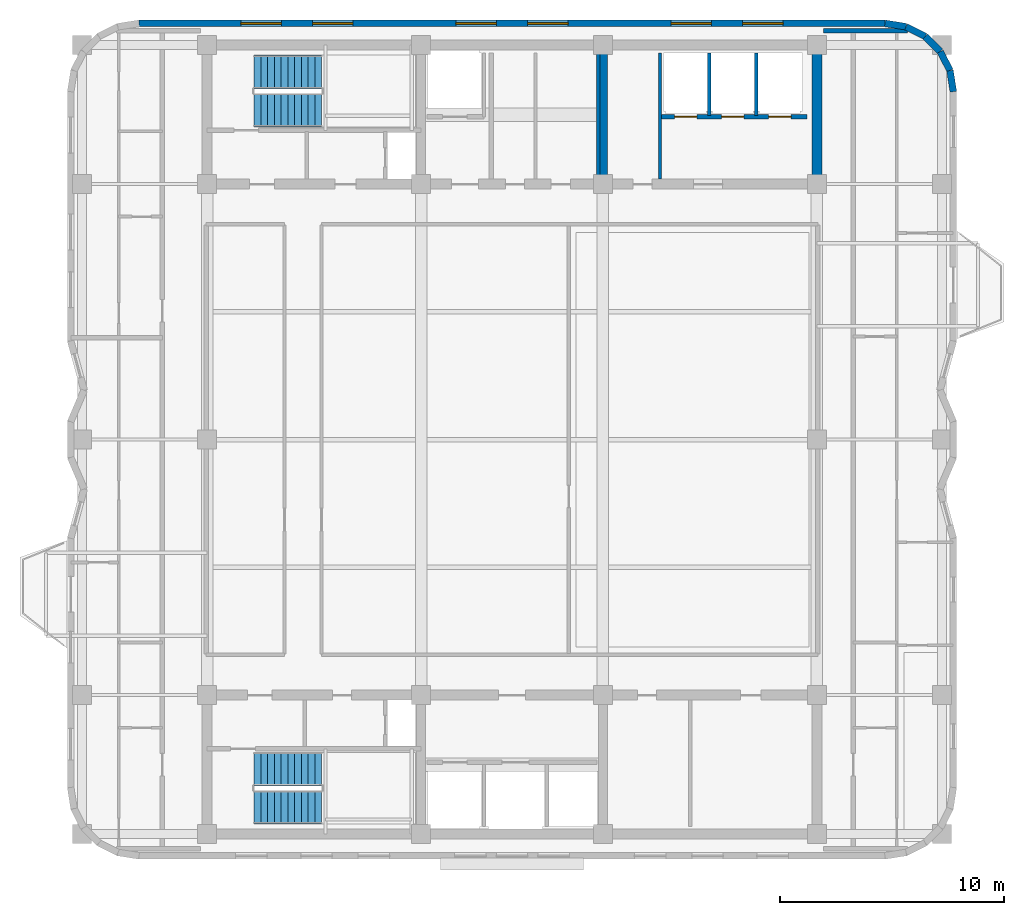
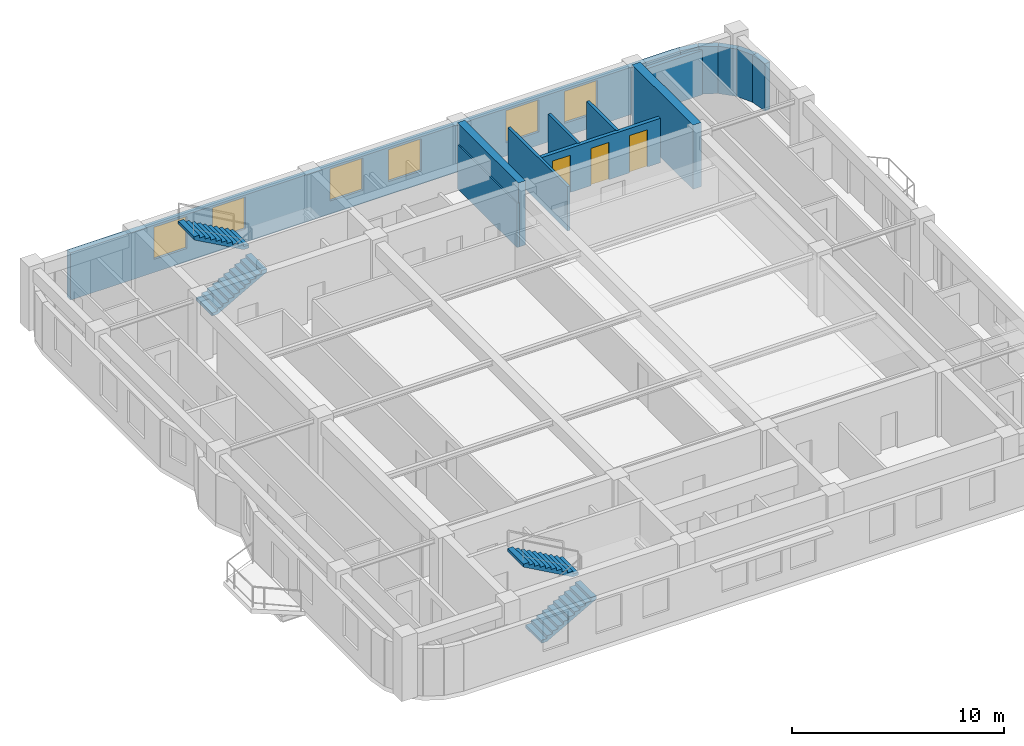
# One storey, part 6 of 8: 14 walls, 6 windows, 4 stair flights, 3 doors, 9 openings, 2 elements without a shape of their own.
"""IFC4 building model written with IfcOpenShell, lengths in metres."""

from ifc_helpers import new_model, si_unit, direction, frame, frame_2d, origin, place, context, subcontext, project, spatial, polyline, rectangle, outline, extrude, material, layer, layer_set, type_object, element, fill, aggregate, save


model = new_model("IFC4")

# Units and contexts
model_context = context("Model", 3, precision=1e-05, world=origin(), true_north=direction((0.0, 1.0)))
body_context = subcontext(model_context, "Body", "Model", "MODEL_VIEW")
ifc_project = project(units=[si_unit("LENGTHUNIT", "METRE"), si_unit("AREAUNIT", "SQUARE_METRE"), si_unit("VOLUMEUNIT", "CUBIC_METRE"), si_unit("PLANEANGLEUNIT", "RADIAN"), si_unit("MASSUNIT", "GRAM", prefix="KILO")], contexts=[model_context])

# Site, building, storey
site_placement = place(None, origin())
site = spatial("IfcSite", under=ifc_project, at=site_placement, CompositionType="ELEMENT")
building_placement = place(site_placement, origin())
building = spatial("IfcBuilding", under=site, at=building_placement, Name="Svetorya Sky Lyceum", CompositionType="ELEMENT")
storey_placement = place(building_placement, frame((0.0, 0.0, 248.0)))
storey = spatial("IfcBuildingStorey", under=building, at=storey_placement, Name="L62", CompositionType="ELEMENT", Elevation=248.0)

# Walls
ifc_material_1 = material(Name="Concrete C40/50", Category="concrete")
ifc_layer_1 = layer(ifc_material_1, 0.39990234375)
ifc_layer_set_1 = layer_set([ifc_layer_1], Name="Concrete C40/50")
wall_type_1 = type_object("IfcWallType", Name="WL-CORE-400", PredefinedType="SHEAR", material=ifc_layer_set_1)
wall_1_placement = place(storey_placement, frame((43.25, 39.824951171875, 0.0), z_axis=(0.0, 0.0, 1.0), x_axis=(0.0, 1.0, 0.0)))
element("IfcWall", 1, at=wall_1_placement, inside=storey, type_object=wall_type_1, Name="L62 NC Internal Shear Web WEB2", PredefinedType="SHEAR", context=body_context, shape_type="SweptSolid", body=[
    extrude(rectangle(XDim=5.75, YDim=0.39990234375, at=frame_2d((2.875, 0.0))), origin(), (0.0, 0.0, 1.0), 3.699951171875),
])
ifc_material_2 = material(Name="Concrete C50/60", Category="concrete")
ifc_layer_2 = layer(ifc_material_2, 0.449951171875)
ifc_layer_set_2 = layer_set([ifc_layer_2], Name="Concrete C50/60")
wall_type_2 = type_object("IfcWallType", Name="WL-CORE-450", PredefinedType="SHEAR", material=ifc_layer_set_2)
wall_2_placement = place(storey_placement, frame((52.800048828125, 39.824951171875, 0.0), z_axis=(0.0, 0.0, 1.0), x_axis=(0.0, 1.0, 0.0)))
element("IfcWall", 2, at=wall_2_placement, inside=storey, type_object=wall_type_2, Name="L62 NC East Core Shear Wall", PredefinedType="SHEAR", context=body_context, shape_type="SweptSolid", body=[
    extrude(rectangle(XDim=5.75, YDim=0.449951171875, at=frame_2d((2.875, 0.0))), origin(), (0.0, 0.0, 1.0), 3.699951171875),
])
ifc_material_3 = material(Name="Putilovo limestone rainscreen on autoclaved cellular masonry", Category="masonry")
ifc_layer_3 = layer(ifc_material_3, 0.300048828125)
ifc_layer_set_3 = layer_set([ifc_layer_3], Name="Putilovo limestone rainscreen on autoclaved cellular masonry")
wall_type_3 = type_object("IfcWallType", Name="WL-EXT-300", PredefinedType="SOLIDWALL", material=ifc_layer_set_3)
wall_3_placement = place(storey_placement, frame((58.889892578125, 43.719970703125, 0.0), z_axis=(0.0, 0.0, 1.0), x_axis=(-0.156304114255, 0.987708977314, 0.0)))
element("IfcWall", 3, at=wall_3_placement, inside=storey, type_object=wall_type_3, Name="L62 Limestone Exterior Wall 19M", PredefinedType="SOLIDWALL", context=body_context, shape_type="SweptSolid", body=[
    extrude(rectangle(XDim=0.954345703125, YDim=0.300048828125, at=frame_2d((0.47705078125, 0.0))), origin(), (0.0, 0.0, 1.0), 2.72998046875),
])
wall_4_placement = place(storey_placement, frame((58.74072265625, 44.66259765625, 0.0), z_axis=(0.0, 0.0, 1.0), x_axis=(-0.45395644796, 0.891023873617, 0.0)))
element("IfcWall", 4, at=wall_4_placement, inside=storey, type_object=wall_type_3, Name="L62 Limestone Exterior Wall 20M", PredefinedType="SOLIDWALL", context=body_context, shape_type="SweptSolid", body=[
    extrude(rectangle(XDim=0.9541015625, YDim=0.300048828125, at=frame_2d((0.47705078125, 0.0))), origin(), (0.0, 0.0, 1.0), 2.72998046875),
])
for number, where, z_axis, x_axis, name in (
    (5, (58.3076171875, 45.5126953125, 0.0), (0.0, 0.0, 1.0), (-0.707106781187, 0.707106781187, 0.0), "L62 Limestone Exterior Wall 21M"),
    (6, (57.6328125, 46.1875, 0.0), (0.0, 0.0, 1.0), (-0.891076589373, 0.453852962833, 0.0), "L62 Limestone Exterior Wall 22M"),
):
    element("IfcWall", number, at=place(storey_placement, frame(where, z_axis=z_axis, x_axis=x_axis)), inside=storey, type_object=wall_type_3, Name=name, PredefinedType="SOLIDWALL", context=body_context, shape_type="SweptSolid", body=[
        extrude(rectangle(XDim=0.954345703125, YDim=0.300048828125, at=frame_2d((0.47705078125, 0.0))), origin(), (0.0, 0.0, 1.0), 2.72998046875),
    ])
wall_5_placement = place(storey_placement, frame((56.782470703125, 46.62060546875, 0.0), z_axis=(0.0, 0.0, 1.0), x_axis=(-0.987663181641, 0.156593229835, 0.0)))
element("IfcWall", 7, at=wall_5_placement, inside=storey, type_object=wall_type_3, Name="L62 Limestone Exterior Wall 23M", PredefinedType="SOLIDWALL", context=body_context, shape_type="SweptSolid", body=[
    extrude(rectangle(XDim=0.9541015625, YDim=0.300048828125, at=frame_2d((0.47705078125, 0.0))), origin(), (0.0, 0.0, 1.0), 2.72998046875),
])

# Wall, openings, windows
wall_6_placement = place(storey_placement, frame((55.840087890625, 46.77001953125, 0.0), z_axis=(0.0, 0.0, 1.0), x_axis=(-1.0, 0.0, 0.0)))
wall_6 = element("IfcWall", 8, at=wall_6_placement, inside=storey, type_object=wall_type_3, Name="L62 Limestone Exterior Wall 24M", PredefinedType="SOLIDWALL", context=body_context, shape_type="SweptSolid", body=[
    extrude(rectangle(XDim=33.280029296875, YDim=0.300048828125, at=frame_2d((16.64013671875, 0.0))), origin(), (0.0, 0.0, 1.0), 2.72998046875),
])
opening_1_placement = place(wall_6_placement, frame((4.547119140625, 0.0, 0.760009765625)))
opening_1 = element("IfcOpeningElement", 9, at=opening_1_placement, cuts=wall_6, Name="Opening W-R1", PredefinedType="OPENING", context=body_context, shape_type="SweptSolid", body=[
    extrude(rectangle(XDim=1.800048828125, YDim=1.85009765625, at=frame_2d((0.89990234375, 0.925048828125))), frame((0.0, 0.159912109375, 0.0), z_axis=(0.0, -1.0, 0.0), x_axis=(1.0, 0.0, 0.0)), (0.0, 0.0, 1.0), 0.320068359375),
])
opening_2_placement = place(wall_6_placement, frame((7.7451171875, 0.0, 0.760009765625)))
opening_2 = element("IfcOpeningElement", 10, at=opening_2_placement, cuts=wall_6, Name="Opening W-R1", PredefinedType="OPENING", context=body_context, shape_type="SweptSolid", body=[
    extrude(rectangle(XDim=1.800048828125, YDim=1.85009765625, at=frame_2d((0.89990234375, 0.925048828125))), frame((0.0, 0.159912109375, 0.0), z_axis=(0.0, -1.0, 0.0), x_axis=(1.0, 0.0, 0.0)), (0.0, 0.0, 1.0), 0.320068359375),
])
opening_3_placement = place(wall_6_placement, frame((14.14111328125, 0.0, 0.760009765625)))
opening_3 = element("IfcOpeningElement", 11, at=opening_3_placement, cuts=wall_6, Name="Opening W-R1", PredefinedType="OPENING", context=body_context, shape_type="SweptSolid", body=[
    extrude(rectangle(XDim=1.800048828125, YDim=1.85009765625, at=frame_2d((0.89990234375, 0.925048828125))), frame((0.0, 0.159912109375, 0.0), z_axis=(0.0, -1.0, 0.0), x_axis=(1.0, 0.0, 0.0)), (0.0, 0.0, 1.0), 0.320068359375),
])
opening_4_placement = place(wall_6_placement, frame((17.339111328125, 0.0, 0.760009765625)))
opening_4 = element("IfcOpeningElement", 12, at=opening_4_placement, cuts=wall_6, Name="Opening W-R1", PredefinedType="OPENING", context=body_context, shape_type="SweptSolid", body=[
    extrude(rectangle(XDim=1.800048828125, YDim=1.85009765625, at=frame_2d((0.89990234375, 0.925048828125))), frame((0.0, 0.159912109375, 0.0), z_axis=(0.0, -1.0, 0.0), x_axis=(1.0, 0.0, 0.0)), (0.0, 0.0, 1.0), 0.320068359375),
])
opening_5_placement = place(wall_6_placement, frame((23.735107421875, 0.0, 0.760009765625)))
opening_5 = element("IfcOpeningElement", 13, at=opening_5_placement, cuts=wall_6, Name="Opening W-R1", PredefinedType="OPENING", context=body_context, shape_type="SweptSolid", body=[
    extrude(rectangle(XDim=1.800048828125, YDim=1.85009765625, at=frame_2d((0.89990234375, 0.925048828125))), frame((0.0, 0.159912109375, 0.0), z_axis=(0.0, -1.0, 0.0), x_axis=(1.0, 0.0, 0.0)), (0.0, 0.0, 1.0), 0.320068359375),
])
opening_6_placement = place(wall_6_placement, frame((26.93310546875, 0.0, 0.760009765625)))
opening_6 = element("IfcOpeningElement", 14, at=opening_6_placement, cuts=wall_6, Name="Opening W-R1", PredefinedType="OPENING", context=body_context, shape_type="SweptSolid", body=[
    extrude(rectangle(XDim=1.800048828125, YDim=1.85009765625, at=frame_2d((0.89990234375, 0.925048828125))), frame((0.0, 0.159912109375, 0.0), z_axis=(0.0, -1.0, 0.0), x_axis=(1.0, 0.0, 0.0)), (0.0, 0.0, 1.0), 0.320068359375),
])
ifc_material_4 = material(Name="Thermally broken aluminium frame with triple low-E glazing", Category="aluminium")
window_type = type_object("IfcWindowType", Name="WN-RES-180", PartitioningType="DOUBLE_PANEL_VERTICAL", PredefinedType="WINDOW", material=ifc_material_4)
window_1_placement = place(opening_1_placement, origin())
window_1 = element("IfcWindow", 15, at=window_1_placement, inside=storey, type_object=window_type, Name="L62 Facade Window W-R1.24M.1", OverallHeight=1.85009765625, OverallWidth=1.800048828125, PartitioningType="SINGLE_PANEL", PredefinedType="WINDOW", context=body_context, shape_type="SweptSolid", body=[
    extrude(rectangle(XDim=1.800048828125, YDim=1.85009765625, at=frame_2d((0.89990234375, 0.925048828125))), frame((0.0, 0.030029296875, 0.0), z_axis=(0.0, -1.0, 0.0), x_axis=(1.0, 0.0, 0.0)), (0.0, 0.0, 1.0), 0.06005859375),
])
fill(opening_1, window_1)
window_2_placement = place(opening_2_placement, origin())
window_2 = element("IfcWindow", 16, at=window_2_placement, inside=storey, type_object=window_type, Name="L62 Facade Window W-R1.24M.2", OverallHeight=1.85009765625, OverallWidth=1.800048828125, PartitioningType="SINGLE_PANEL", PredefinedType="WINDOW", context=body_context, shape_type="SweptSolid", body=[
    extrude(rectangle(XDim=1.800048828125, YDim=1.85009765625, at=frame_2d((0.89990234375, 0.925048828125))), frame((0.0, 0.030029296875, 0.0), z_axis=(0.0, -1.0, 0.0), x_axis=(1.0, 0.0, 0.0)), (0.0, 0.0, 1.0), 0.06005859375),
])
fill(opening_2, window_2)
window_3_placement = place(opening_3_placement, origin())
window_3 = element("IfcWindow", 17, at=window_3_placement, inside=storey, type_object=window_type, Name="L62 Facade Window W-R1.24M.3", OverallHeight=1.85009765625, OverallWidth=1.800048828125, PartitioningType="SINGLE_PANEL", PredefinedType="WINDOW", context=body_context, shape_type="SweptSolid", body=[
    extrude(rectangle(XDim=1.800048828125, YDim=1.85009765625, at=frame_2d((0.89990234375, 0.925048828125))), frame((0.0, 0.030029296875, 0.0), z_axis=(0.0, -1.0, 0.0), x_axis=(1.0, 0.0, 0.0)), (0.0, 0.0, 1.0), 0.06005859375),
])
fill(opening_3, window_3)
window_4_placement = place(opening_4_placement, origin())
window_4 = element("IfcWindow", 18, at=window_4_placement, inside=storey, type_object=window_type, Name="L62 Facade Window W-R1.24M.4", OverallHeight=1.85009765625, OverallWidth=1.800048828125, PartitioningType="SINGLE_PANEL", PredefinedType="WINDOW", context=body_context, shape_type="SweptSolid", body=[
    extrude(rectangle(XDim=1.800048828125, YDim=1.85009765625, at=frame_2d((0.89990234375, 0.925048828125))), frame((0.0, 0.030029296875, 0.0), z_axis=(0.0, -1.0, 0.0), x_axis=(1.0, 0.0, 0.0)), (0.0, 0.0, 1.0), 0.06005859375),
])
fill(opening_4, window_4)
window_5_placement = place(opening_5_placement, origin())
window_5 = element("IfcWindow", 19, at=window_5_placement, inside=storey, type_object=window_type, Name="L62 Facade Window W-R1.24M.5", OverallHeight=1.85009765625, OverallWidth=1.800048828125, PartitioningType="SINGLE_PANEL", PredefinedType="WINDOW", context=body_context, shape_type="SweptSolid", body=[
    extrude(rectangle(XDim=1.800048828125, YDim=1.85009765625, at=frame_2d((0.89990234375, 0.925048828125))), frame((0.0, 0.030029296875, 0.0), z_axis=(0.0, -1.0, 0.0), x_axis=(1.0, 0.0, 0.0)), (0.0, 0.0, 1.0), 0.06005859375),
])
fill(opening_5, window_5)
window_6_placement = place(opening_6_placement, origin())
window_6 = element("IfcWindow", 20, at=window_6_placement, inside=storey, type_object=window_type, Name="L62 Facade Window W-R1.24M.6", OverallHeight=1.85009765625, OverallWidth=1.800048828125, PartitioningType="SINGLE_PANEL", PredefinedType="WINDOW", context=body_context, shape_type="SweptSolid", body=[
    extrude(rectangle(XDim=1.800048828125, YDim=1.85009765625, at=frame_2d((0.89990234375, 0.925048828125))), frame((0.0, 0.030029296875, 0.0), z_axis=(0.0, -1.0, 0.0), x_axis=(1.0, 0.0, 0.0)), (0.0, 0.0, 1.0), 0.06005859375),
])
fill(opening_6, window_6)

# Walls
ifc_material_5 = material(Name="Autoclaved cellular masonry blockwork with acoustic render", Category="masonry")
ifc_layer_4 = layer(ifc_material_5, 0.14990234375)
ifc_layer_set_4 = layer_set([ifc_layer_4], Name="Autoclaved cellular masonry blockwork with acoustic render")
wall_type_4 = type_object("IfcWallType", Name="WL-PART-150", PredefinedType="PARTITIONING", material=ifc_layer_set_4)
for number, where, z_axis, x_axis, name in (
    (21, (43.050048828125, 39.820068359375, 0.0), (0.0, 0.0, 1.0), (0.0, 1.0, 0.0), "L62 Interior Partition NC-FPM-END"),
    (22, (45.800048828125, 39.820068359375, 0.0), (0.0, 0.0, 1.0), (0.0, 1.0, 0.0), "L62 Interior Partition NC-PM3-FULL"),
):
    element("IfcWall", number, at=place(storey_placement, frame(where, z_axis=z_axis, x_axis=x_axis)), inside=storey, type_object=wall_type_4, Name=name, PredefinedType="PARTITIONING", context=body_context, shape_type="SweptSolid", body=[
        extrude(rectangle(XDim=5.6298828125, YDim=0.14990234375, at=frame_2d((2.81494140625, 0.0))), origin(), (0.0, 0.0, 1.0), 2.56005859375),
    ])
for number, where, z_axis, x_axis, name in (
    (23, (48.0, 42.64990234375, 0.0), (0.0, 0.0, 1.0), (0.0, 1.0, 0.0), "L62 Interior Partition NC-PH-D1"),
    (24, (50.10009765625, 42.64990234375, 0.0), (0.0, 0.0, 1.0), (0.0, 1.0, 0.0), "L62 Interior Partition NC-PH-D2"),
):
    element("IfcWall", number, at=place(storey_placement, frame(where, z_axis=z_axis, x_axis=x_axis)), inside=storey, type_object=wall_type_4, Name=name, PredefinedType="PARTITIONING", context=body_context, shape_type="SweptSolid", body=[
        extrude(rectangle(XDim=2.800048828125, YDim=0.14990234375, at=frame_2d((1.39990234375, 0.0))), origin(), (0.0, 0.0, 1.0), 2.56005859375),
    ])

# Wall, openings, doors
ifc_material_6 = material(Name="Autoclaved cellular masonry blockwork with gypsum plaster", Category="masonry")
ifc_layer_5 = layer(ifc_material_6, 0.199951171875)
ifc_layer_set_5 = layer_set([ifc_layer_5], Name="Autoclaved cellular masonry blockwork with gypsum plaster")
wall_type_5 = type_object("IfcWallType", Name="WL-PART-200", PredefinedType="PARTITIONING", material=ifc_layer_set_5)
wall_7_placement = place(storey_placement, frame((52.35009765625, 42.60009765625, 0.0), z_axis=(0.0, 0.0, 1.0), x_axis=(-1.0, 0.0, 0.0)))
wall_7 = element("IfcWall", 25, at=wall_7_placement, inside=storey, type_object=wall_type_5, Name="L62 Interior Partition NC-PHEW", PredefinedType="PARTITIONING", context=body_context, shape_type="SweptSolid", body=[
    extrude(rectangle(XDim=6.5, YDim=0.199951171875, at=frame_2d((3.25, 0.0))), origin(), (0.0, 0.0, 1.0), 2.56005859375),
])
opening_7_placement = place(wall_7_placement, frame((4.89990234375, 0.0, 0.0)))
opening_7 = element("IfcOpeningElement", 26, at=opening_7_placement, cuts=wall_7, Name="Opening LD-P1", PredefinedType="OPENING", context=body_context, shape_type="SweptSolid", body=[
    extrude(rectangle(XDim=1.0, YDim=2.14990234375, at=frame_2d((0.5, 1.074951171875))), frame((0.0, 0.10986328125, 0.0), z_axis=(0.0, -1.0, 0.0), x_axis=(1.0, 0.0, 0.0)), (0.0, 0.0, 1.0), 0.219970703125),
])
opening_8_placement = place(wall_7_placement, frame((2.800048828125, 0.0, 0.0)))
opening_8 = element("IfcOpeningElement", 27, at=opening_8_placement, cuts=wall_7, Name="Opening LD-P1", PredefinedType="OPENING", context=body_context, shape_type="SweptSolid", body=[
    extrude(rectangle(XDim=1.0, YDim=2.14990234375, at=frame_2d((0.5, 1.074951171875))), frame((0.0, 0.10986328125, 0.0), z_axis=(0.0, -1.0, 0.0), x_axis=(1.0, 0.0, 0.0)), (0.0, 0.0, 1.0), 0.219970703125),
])
opening_9_placement = place(wall_7_placement, frame((0.699951171875, 0.0, 0.0)))
opening_9 = element("IfcOpeningElement", 28, at=opening_9_placement, cuts=wall_7, Name="Opening LD-P1", PredefinedType="OPENING", context=body_context, shape_type="SweptSolid", body=[
    extrude(rectangle(XDim=1.0, YDim=2.14990234375, at=frame_2d((0.5, 1.074951171875))), frame((0.0, 0.10986328125, 0.0), z_axis=(0.0, -1.0, 0.0), x_axis=(1.0, 0.0, 0.0)), (0.0, 0.0, 1.0), 0.219970703125),
])
ifc_material_7 = material(Name="Champagne-anodized stainless passenger lift landing door")
door_type = type_object("IfcDoorType", Name="DR-LIFT-1000", OperationType="SLIDING_TO_LEFT", PredefinedType="DOOR", material=ifc_material_7)
door_1_placement = place(opening_7_placement, origin())
door_1 = element("IfcDoor", 29, at=door_1_placement, inside=storey, type_object=door_type, Name="L62 Passenger Lift PH1 Landing Door", OperationType="SLIDING_TO_LEFT", OverallHeight=2.14990234375, OverallWidth=1.0, PredefinedType="DOOR", context=body_context, shape_type="SweptSolid", body=[
    extrude(rectangle(XDim=1.0, YDim=2.14990234375, at=frame_2d((0.5, 1.074951171875))), frame((0.0, 0.02490234375, 0.0), z_axis=(0.0, -1.0, 0.0), x_axis=(1.0, 0.0, 0.0)), (0.0, 0.0, 1.0), 0.050048828125),
])
fill(opening_7, door_1)
door_2_placement = place(opening_8_placement, origin())
door_2 = element("IfcDoor", 30, at=door_2_placement, inside=storey, type_object=door_type, Name="L62 Passenger Lift PH2 Landing Door", OperationType="SLIDING_TO_LEFT", OverallHeight=2.14990234375, OverallWidth=1.0, PredefinedType="DOOR", context=body_context, shape_type="SweptSolid", body=[
    extrude(rectangle(XDim=1.0, YDim=2.14990234375, at=frame_2d((0.5, 1.074951171875))), frame((0.0, 0.02490234375, 0.0), z_axis=(0.0, -1.0, 0.0), x_axis=(1.0, 0.0, 0.0)), (0.0, 0.0, 1.0), 0.050048828125),
])
fill(opening_8, door_2)
door_3_placement = place(opening_9_placement, origin())
door_3 = element("IfcDoor", 31, at=door_3_placement, inside=storey, type_object=door_type, Name="L62 Passenger Lift PH3 Landing Door", OperationType="SLIDING_TO_LEFT", OverallHeight=2.14990234375, OverallWidth=1.0, PredefinedType="DOOR", context=body_context, shape_type="SweptSolid", body=[
    extrude(rectangle(XDim=1.0, YDim=2.14990234375, at=frame_2d((0.5, 1.074951171875))), frame((0.0, 0.02490234375, 0.0), z_axis=(0.0, -1.0, 0.0), x_axis=(1.0, 0.0, 0.0)), (0.0, 0.0, 1.0), 0.050048828125),
])
fill(opening_9, door_3)

# Wall
wall_8_placement = place(storey_placement, frame((53.10009765625, 46.449951171875, 0.0), z_axis=(0.0, 0.0, 1.0), x_axis=(1.0, 0.0, 0.0)))
element("IfcWall", 32, at=wall_8_placement, inside=storey, type_object=wall_type_5, Name="L62 Interior Partition E-CAP-N", PredefinedType="PARTITIONING", context=body_context, shape_type="SweptSolid", body=[
    extrude(rectangle(XDim=3.75390625, YDim=0.199951171875, at=frame_2d((1.876953125, 0.0))), origin(), (0.0, 0.0, 1.0), 2.56005859375),
])

# Stair, stair flights
stair_type_1 = type_object("IfcStairType", Name="STR-ST-N", PredefinedType="HALF_TURN_STAIR", material=ifc_material_1)
stair_1_placement = place(storey_placement, origin())
stair_1 = element("IfcStair", 33, at=stair_1_placement, inside=storey, type_object=stair_type_1, Name="L62 North Core Smoke-Free Exit Stair N3", PredefinedType="HALF_TURN_STAIR")
stair_flight_type_1 = type_object("IfcStairFlightType", Name="SFL-ST-N", PredefinedType="STRAIGHT", material=ifc_material_1)
stair_flight_1_placement = place(storey_placement, frame((27.699951171875, 42.89990234375, 0.0), z_axis=(0.0, 0.0, 1.0), x_axis=(1.0, 0.0, 0.0)))
stair_flight_1 = element("IfcStairFlight", 34, at=stair_flight_1_placement, type_object=stair_flight_type_1, Name="ST-N flight 1", NumberOfRisers=11, NumberOfTreads=10, PredefinedType="STRAIGHT", RiserHeight=0.168181818, TreadLength=0.3, context=body_context, shape_type="SweptSolid", body=[
    extrude(outline(polyline([(0.0, 0.0), (0.0, 0.168212890625), (0.300048828125, 0.168212890625), (0.300048828125, 0.33642578125), (0.60009765625, 0.33642578125), (0.60009765625, 0.504638671875), (0.89990234375, 0.504638671875), (0.89990234375, 0.672607421875), (1.199951171875, 0.672607421875), (1.199951171875, 0.8408203125), (1.5, 0.8408203125), (1.5, 1.009033203125), (1.800048828125, 1.009033203125), (1.800048828125, 1.17724609375), (2.10009765625, 1.17724609375), (2.10009765625, 1.345458984375), (2.39990234375, 1.345458984375), (2.39990234375, 1.513671875), (2.699951171875, 1.513671875), (2.699951171875, 1.681884765625), (3.0, 1.681884765625), (3.0, 1.85009765625), (3.0, 1.510009765625), (0.306640625, 0.0), (0.0, 0.0)])), frame((0.0, 0.75, 0.0), z_axis=(0.0, -1.0, 0.0), x_axis=(1.0, 0.0, 0.0)), (0.0, 0.0, 1.0), 1.5),
])
stair_flight_2_placement = place(storey_placement, frame((30.699951171875, 44.60009765625, 1.85009765625), z_axis=(0.0, 0.0, 1.0), x_axis=(-1.0, 0.0, 0.0)))
stair_flight_2 = element("IfcStairFlight", 35, at=stair_flight_2_placement, type_object=stair_flight_type_1, Name="ST-N flight 2", NumberOfRisers=11, NumberOfTreads=10, PredefinedType="STRAIGHT", RiserHeight=0.168181818, TreadLength=0.3, context=body_context, shape_type="SweptSolid", body=[
    extrude(outline(polyline([(0.0, 0.0), (0.0, 0.168212890625), (0.300048828125, 0.168212890625), (0.300048828125, 0.33642578125), (0.60009765625, 0.33642578125), (0.60009765625, 0.504638671875), (0.89990234375, 0.504638671875), (0.89990234375, 0.672607421875), (1.199951171875, 0.672607421875), (1.199951171875, 0.8408203125), (1.5, 0.8408203125), (1.5, 1.009033203125), (1.800048828125, 1.009033203125), (1.800048828125, 1.17724609375), (2.10009765625, 1.17724609375), (2.10009765625, 1.345458984375), (2.39990234375, 1.345458984375), (2.39990234375, 1.513671875), (2.699951171875, 1.513671875), (2.699951171875, 1.681884765625), (3.0, 1.681884765625), (3.0, 1.85009765625), (3.0, 1.510009765625), (0.306640625, 0.0), (0.0, 0.0)])), frame((0.0, 0.75, 0.0), z_axis=(0.0, -1.0, 0.0), x_axis=(1.0, 0.0, 0.0)), (0.0, 0.0, 1.0), 1.5),
])
aggregate(stair_1, [stair_flight_1, stair_flight_2])

stair_type_2 = type_object("IfcStairType", Name="STR-ST-S", PredefinedType="HALF_TURN_STAIR", material=ifc_material_1)
stair_2_placement = place(storey_placement, origin())
stair_2 = element("IfcStair", 36, at=stair_2_placement, inside=storey, type_object=stair_type_2, Name="L62 South Core Smoke-Free Exit Stair N2", PredefinedType="HALF_TURN_STAIR")
stair_flight_type_2 = type_object("IfcStairFlightType", Name="SFL-ST-S", PredefinedType="STRAIGHT", material=ifc_material_1)
stair_flight_3_placement = place(storey_placement, frame((27.699951171875, 11.800048828125, 0.0), z_axis=(0.0, 0.0, 1.0), x_axis=(1.0, 0.0, 0.0)))
stair_flight_3 = element("IfcStairFlight", 37, at=stair_flight_3_placement, type_object=stair_flight_type_2, Name="ST-S flight 1", NumberOfRisers=11, NumberOfTreads=10, PredefinedType="STRAIGHT", RiserHeight=0.168181818, TreadLength=0.3, context=body_context, shape_type="SweptSolid", body=[
    extrude(outline(polyline([(0.0, 0.0), (0.0, 0.168212890625), (0.300048828125, 0.168212890625), (0.300048828125, 0.33642578125), (0.60009765625, 0.33642578125), (0.60009765625, 0.504638671875), (0.89990234375, 0.504638671875), (0.89990234375, 0.672607421875), (1.199951171875, 0.672607421875), (1.199951171875, 0.8408203125), (1.5, 0.8408203125), (1.5, 1.009033203125), (1.800048828125, 1.009033203125), (1.800048828125, 1.17724609375), (2.10009765625, 1.17724609375), (2.10009765625, 1.345458984375), (2.39990234375, 1.345458984375), (2.39990234375, 1.513671875), (2.699951171875, 1.513671875), (2.699951171875, 1.681884765625), (3.0, 1.681884765625), (3.0, 1.85009765625), (3.0, 1.510009765625), (0.306640625, 0.0), (0.0, 0.0)])), frame((0.0, 0.75, 0.0), z_axis=(0.0, -1.0, 0.0), x_axis=(1.0, 0.0, 0.0)), (0.0, 0.0, 1.0), 1.5),
])
stair_flight_4_placement = place(storey_placement, frame((30.699951171875, 13.5, 1.85009765625), z_axis=(0.0, 0.0, 1.0), x_axis=(-1.0, 0.0, 0.0)))
stair_flight_4 = element("IfcStairFlight", 38, at=stair_flight_4_placement, type_object=stair_flight_type_2, Name="ST-S flight 2", NumberOfRisers=11, NumberOfTreads=10, PredefinedType="STRAIGHT", RiserHeight=0.168181818, TreadLength=0.3, context=body_context, shape_type="SweptSolid", body=[
    extrude(outline(polyline([(0.0, 0.0), (0.0, 0.168212890625), (0.300048828125, 0.168212890625), (0.300048828125, 0.33642578125), (0.60009765625, 0.33642578125), (0.60009765625, 0.504638671875), (0.89990234375, 0.504638671875), (0.89990234375, 0.672607421875), (1.199951171875, 0.672607421875), (1.199951171875, 0.8408203125), (1.5, 0.8408203125), (1.5, 1.009033203125), (1.800048828125, 1.009033203125), (1.800048828125, 1.17724609375), (2.10009765625, 1.17724609375), (2.10009765625, 1.345458984375), (2.39990234375, 1.345458984375), (2.39990234375, 1.513671875), (2.699951171875, 1.513671875), (2.699951171875, 1.681884765625), (3.0, 1.681884765625), (3.0, 1.85009765625), (3.0, 1.510009765625), (0.306640625, 0.0), (0.0, 0.0)])), frame((0.0, 0.75, 0.0), z_axis=(0.0, -1.0, 0.0), x_axis=(1.0, 0.0, 0.0)), (0.0, 0.0, 1.0), 1.5),
])
aggregate(stair_2, [stair_flight_3, stair_flight_4])

save(model, "model.ifc")
